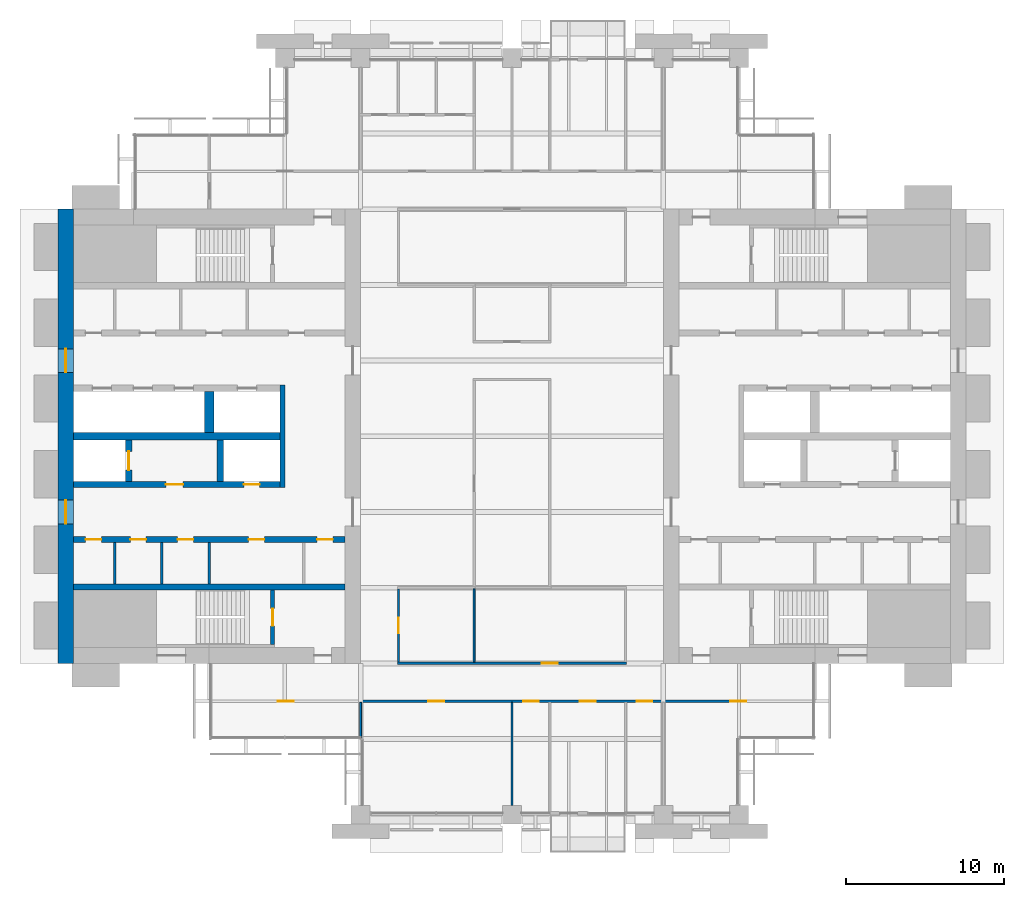
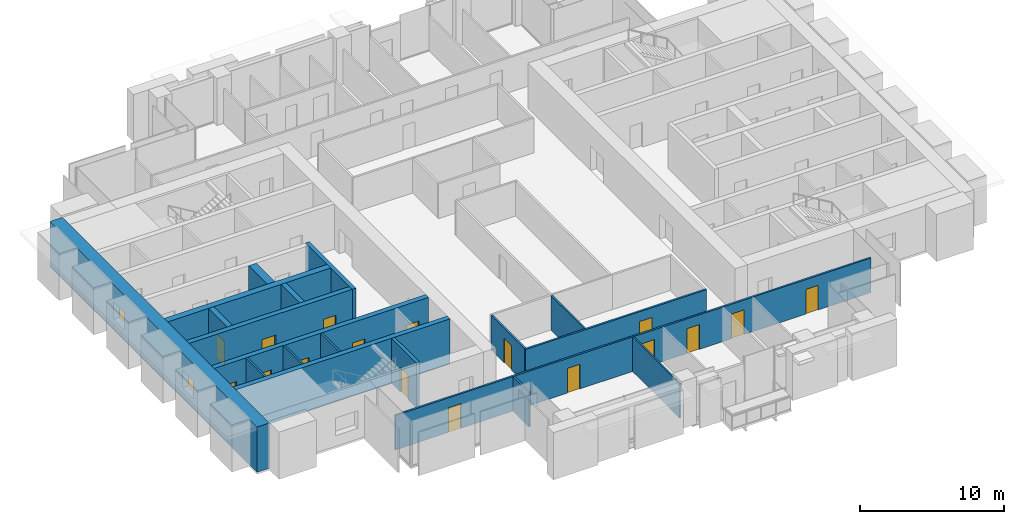
# One storey, part 9 of 15: 19 walls, 17 doors, 2 windows, 19 openings.
"""IFC4 building model written with IfcOpenShell, lengths in metres."""

from ifc_helpers import new_model, si_unit, direction, frame, frame_2d, origin, place, context, subcontext, project, spatial, rectangle, extrude, material, layer, layer_set, type_object, element, fill, save


model = new_model("IFC4")

# Units and contexts
model_context = context("Model", 3, precision=1e-05, world=origin(), true_north=direction((0.0, 1.0)))
body_context = subcontext(model_context, "Body", "Model", "MODEL_VIEW")
ifc_project = project(units=[si_unit("LENGTHUNIT", "METRE"), si_unit("AREAUNIT", "SQUARE_METRE"), si_unit("VOLUMEUNIT", "CUBIC_METRE"), si_unit("PLANEANGLEUNIT", "RADIAN"), si_unit("MASSUNIT", "GRAM", prefix="KILO")], contexts=[model_context])

# Site, building, storey
site_placement = place(None, origin())
site = spatial("IfcSite", under=ifc_project, at=site_placement, CompositionType="ELEMENT")
building_placement = place(site_placement, origin())
building = spatial("IfcBuilding", under=site, at=building_placement, Name="Baori Bourse Tower", CompositionType="ELEMENT")
storey_placement = place(building_placement, frame((0.0, 0.0, 164.10009765625)))
storey = spatial("IfcBuildingStorey", under=building, at=storey_placement, Name="L36", CompositionType="ELEMENT", Elevation=164.10009765625)

# Walls
ifc_material_1 = material(Name="Blockwork partition", Category="masonry")
ifc_layer_1 = layer(ifc_material_1, 0.14990234375)
ifc_layer_set_1 = layer_set([ifc_layer_1], Name="Core partition 150")
wall_type_1 = type_object("IfcWallType", Name="Core partition 150", PredefinedType="PARTITIONING", material=ifc_layer_set_1)
for number, where, z_axis, x_axis, name in (
    (1, (3.60009765625, 14.64990234375, 0.0), (0.0, 0.0, 1.0), (0.0, 1.0, 0.0), "Partition wall W10"),
    (2, (6.60009765625, 14.64990234375, 0.0), (0.0, 0.0, 1.0), (0.0, 1.0, 0.0), "Partition wall W11"),
    (3, (9.60009765625, 14.64990234375, 0.0), (0.0, 0.0, 1.0), (0.0, 1.0, 0.0), "Partition wall W12"),
):
    element("IfcWall", number, at=place(storey_placement, frame(where, z_axis=z_axis, x_axis=x_axis)), inside=storey, type_object=wall_type_1, Name=name, PredefinedType="PARTITIONING", context=body_context, shape_type="SweptSolid", body=[
        extrude(rectangle(XDim=2.60009765625, YDim=0.14990234375, at=frame_2d((1.300048828125, 0.0))), origin(), (0.0, 0.0, 1.0), 3.83984375),
    ])

# Wall, openings, windows
ifc_material_2 = material(Name="Concrete f'c 60 MPa", Category="concrete")
ifc_layer_2 = layer(ifc_material_2, 1.0)
ifc_layer_set_2 = layer_set([ifc_layer_2], Name="Core wall 1000 f'c 60")
wall_type_2 = type_object("IfcWallType", Name="Core wall 1000 f'c 60", PredefinedType="SHEAR", material=ifc_layer_set_2)
wall_1_placement = place(storey_placement, frame((0.5, 9.60009765625, 0.0), z_axis=(0.0, 0.0, 1.0), x_axis=(0.0, 1.0, 0.0)))
wall_1 = element("IfcWall", 4, at=wall_1_placement, inside=storey, type_object=wall_type_2, Name="Core wall W01", PredefinedType="SHEAR", context=body_context, shape_type="SweptSolid", body=[
    extrude(rectangle(XDim=28.7998046875, YDim=1.0, at=frame_2d((14.39990234375, 0.0))), origin(), (0.0, 0.0, 1.0), 3.83984375),
])
opening_1_placement = place(wall_1_placement, frame((8.85009765625, 0.0, 0.89990234375)))
opening_1 = element("IfcOpeningElement", 5, at=opening_1_placement, cuts=wall_1, Name="Opening L36-KW101", PredefinedType="OPENING", context=body_context, shape_type="SweptSolid", body=[
    extrude(rectangle(XDim=1.5, YDim=1.5, at=frame_2d((0.75, 0.75))), frame((0.0, 0.510009765625, 0.0), z_axis=(0.0, -1.0, 0.0), x_axis=(1.0, 0.0, 0.0)), (0.0, 0.0, 1.0), 1.02001953125),
])
opening_2_placement = place(wall_1_placement, frame((18.449951171875, 0.0, 0.89990234375)))
opening_2 = element("IfcOpeningElement", 6, at=opening_2_placement, cuts=wall_1, Name="Opening L36-KW102", PredefinedType="OPENING", context=body_context, shape_type="SweptSolid", body=[
    extrude(rectangle(XDim=1.5, YDim=1.5, at=frame_2d((0.75, 0.75))), frame((0.0, 0.510009765625, 0.0), z_axis=(0.0, -1.0, 0.0), x_axis=(1.0, 0.0, 0.0)), (0.0, 0.0, 1.0), 1.02001953125),
])
ifc_material_3 = material(Name="Pale anodised aluminium", Category="aluminium")
window_type = type_object("IfcWindowType", Name="Lobby window 1500 x 1500", PartitioningType="SINGLE_PANEL", PredefinedType="WINDOW", material=ifc_material_3)
window_1_placement = place(opening_1_placement, origin())
window_1 = element("IfcWindow", 7, at=window_1_placement, inside=storey, type_object=window_type, Name="Outer wall window W L36 1", OverallHeight=1.5, OverallWidth=1.5, PartitioningType="SINGLE_PANEL", PredefinedType="WINDOW", context=body_context, shape_type="SweptSolid", body=[
    extrude(rectangle(XDim=1.5, YDim=1.5, at=frame_2d((0.75, 0.75))), frame((0.0, 0.030029296875, 0.0), z_axis=(0.0, -1.0, 0.0), x_axis=(1.0, 0.0, 0.0)), (0.0, 0.0, 1.0), 0.06005859375),
])
fill(opening_1, window_1)
window_2_placement = place(opening_2_placement, origin())
window_2 = element("IfcWindow", 8, at=window_2_placement, inside=storey, type_object=window_type, Name="Outer wall window W L36 2", OverallHeight=1.5, OverallWidth=1.5, PartitioningType="SINGLE_PANEL", PredefinedType="WINDOW", context=body_context, shape_type="SweptSolid", body=[
    extrude(rectangle(XDim=1.5, YDim=1.5, at=frame_2d((0.75, 0.75))), frame((0.0, 0.030029296875, 0.0), z_axis=(0.0, -1.0, 0.0), x_axis=(1.0, 0.0, 0.0)), (0.0, 0.0, 1.0), 0.06005859375),
])
fill(opening_2, window_2)

# Wall, openings, doors
ifc_material_4 = material(Name="Gypsum board partition")
ifc_layer_3 = layer(ifc_material_4, 0.14990234375)
ifc_layer_set_3 = layer_set([ifc_layer_3], Name="Corridor partition 150")
wall_type_3 = type_object("IfcWallType", Name="Corridor partition 150", PredefinedType="PARTITIONING", material=ifc_layer_set_3)
wall_2_placement = place(storey_placement, frame((9.699951171875, 7.199951171875, 0.0), z_axis=(0.0, 0.0, 1.0), x_axis=(1.0, 0.0, 0.0)))
wall_2 = element("IfcWall", 9, at=wall_2_placement, inside=storey, type_object=wall_type_3, Name="Partition", PredefinedType="PARTITIONING", context=body_context, shape_type="SweptSolid", body=[
    extrude(rectangle(XDim=38.199951171875, YDim=0.14990234375, at=frame_2d((19.10009765625, 0.0))), origin(), (0.0, 0.0, 1.0), 2.935546875),
])
opening_3_placement = place(wall_2_placement, frame((4.25, 0.0, 0.0)))
opening_3 = element("IfcOpeningElement", 10, at=opening_3_placement, cuts=wall_2, Name="Opening L36-D01", PredefinedType="OPENING", context=body_context, shape_type="SweptSolid", body=[
    extrude(rectangle(XDim=1.0, YDim=2.10009765625, at=frame_2d((0.5, 1.050048828125))), frame((0.0, 0.0849609375, 0.0), z_axis=(0.0, -1.0, 0.0), x_axis=(1.0, 0.0, 0.0)), (0.0, 0.0, 1.0), 0.169921875),
])
opening_4_placement = place(wall_2_placement, frame((13.800048828125, 0.0, 0.0)))
opening_4 = element("IfcOpeningElement", 11, at=opening_4_placement, cuts=wall_2, Name="Opening L36-D02", PredefinedType="OPENING", context=body_context, shape_type="SweptSolid", body=[
    extrude(rectangle(XDim=1.0, YDim=2.10009765625, at=frame_2d((0.5, 1.050048828125))), frame((0.0, 0.0849609375, 0.0), z_axis=(0.0, -1.0, 0.0), x_axis=(1.0, 0.0, 0.0)), (0.0, 0.0, 1.0), 0.169921875),
])
opening_5_placement = place(wall_2_placement, frame((19.800048828125, 0.0, 0.0)))
opening_5 = element("IfcOpeningElement", 12, at=opening_5_placement, cuts=wall_2, Name="Opening L36-D03", PredefinedType="OPENING", context=body_context, shape_type="SweptSolid", body=[
    extrude(rectangle(XDim=1.0, YDim=2.10009765625, at=frame_2d((0.5, 1.050048828125))), frame((0.0, 0.0849609375, 0.0), z_axis=(0.0, -1.0, 0.0), x_axis=(1.0, 0.0, 0.0)), (0.0, 0.0, 1.0), 0.169921875),
])
opening_6_placement = place(wall_2_placement, frame((23.39990234375, 0.0, 0.0)))
opening_6 = element("IfcOpeningElement", 13, at=opening_6_placement, cuts=wall_2, Name="Opening L36-D04", PredefinedType="OPENING", context=body_context, shape_type="SweptSolid", body=[
    extrude(rectangle(XDim=1.0, YDim=2.10009765625, at=frame_2d((0.5, 1.050048828125))), frame((0.0, 0.0849609375, 0.0), z_axis=(0.0, -1.0, 0.0), x_axis=(1.0, 0.0, 0.0)), (0.0, 0.0, 1.0), 0.169921875),
])
opening_7_placement = place(wall_2_placement, frame((27.0, 0.0, 0.0)))
opening_7 = element("IfcOpeningElement", 14, at=opening_7_placement, cuts=wall_2, Name="Opening L36-D05", PredefinedType="OPENING", context=body_context, shape_type="SweptSolid", body=[
    extrude(rectangle(XDim=1.0, YDim=2.10009765625, at=frame_2d((0.5, 1.050048828125))), frame((0.0, 0.0849609375, 0.0), z_axis=(0.0, -1.0, 0.0), x_axis=(1.0, 0.0, 0.0)), (0.0, 0.0, 1.0), 0.169921875),
])
opening_8_placement = place(wall_2_placement, frame((32.949951171875, 0.0, 0.0)))
opening_8 = element("IfcOpeningElement", 15, at=opening_8_placement, cuts=wall_2, Name="Opening L36-D06", PredefinedType="OPENING", context=body_context, shape_type="SweptSolid", body=[
    extrude(rectangle(XDim=1.0, YDim=2.10009765625, at=frame_2d((0.5, 1.050048828125))), frame((0.0, 0.0849609375, 0.0), z_axis=(0.0, -1.0, 0.0), x_axis=(1.0, 0.0, 0.0)), (0.0, 0.0, 1.0), 0.169921875),
])
ifc_material_5 = material(Name="Timber door leaf", Category="wood")
door_type_1 = type_object("IfcDoorType", Name="Door 1000 x 2100", OperationType="SINGLE_SWING_LEFT", PredefinedType="DOOR", material=ifc_material_5)
door_1_placement = place(opening_3_placement, origin())
door_1 = element("IfcDoor", 16, at=door_1_placement, inside=storey, type_object=door_type_1, Name="Door", OperationType="SINGLE_SWING_LEFT", OverallHeight=2.10009765625, OverallWidth=1.0, PredefinedType="DOOR", context=body_context, shape_type="SweptSolid", body=[
    extrude(rectangle(XDim=1.0, YDim=2.10009765625, at=frame_2d((0.5, 1.050048828125))), frame((0.0, 0.02490234375, 0.0), z_axis=(0.0, -1.0, 0.0), x_axis=(1.0, 0.0, 0.0)), (0.0, 0.0, 1.0), 0.050048828125),
])
fill(opening_3, door_1)
door_2_placement = place(opening_4_placement, origin())
door_2 = element("IfcDoor", 17, at=door_2_placement, inside=storey, type_object=door_type_1, Name="Door", OperationType="SINGLE_SWING_LEFT", OverallHeight=2.10009765625, OverallWidth=1.0, PredefinedType="DOOR", context=body_context, shape_type="SweptSolid", body=[
    extrude(rectangle(XDim=1.0, YDim=2.10009765625, at=frame_2d((0.5, 1.050048828125))), frame((0.0, 0.02490234375, 0.0), z_axis=(0.0, -1.0, 0.0), x_axis=(1.0, 0.0, 0.0)), (0.0, 0.0, 1.0), 0.050048828125),
])
fill(opening_4, door_2)
door_3_placement = place(opening_5_placement, origin())
door_3 = element("IfcDoor", 18, at=door_3_placement, inside=storey, type_object=door_type_1, Name="Door", OperationType="SINGLE_SWING_RIGHT", OverallHeight=2.10009765625, OverallWidth=1.0, PredefinedType="DOOR", context=body_context, shape_type="SweptSolid", body=[
    extrude(rectangle(XDim=1.0, YDim=2.10009765625, at=frame_2d((0.5, 1.050048828125))), frame((0.0, 0.02490234375, 0.0), z_axis=(0.0, -1.0, 0.0), x_axis=(1.0, 0.0, 0.0)), (0.0, 0.0, 1.0), 0.050048828125),
])
fill(opening_5, door_3)
door_4_placement = place(opening_6_placement, origin())
door_4 = element("IfcDoor", 19, at=door_4_placement, inside=storey, type_object=door_type_1, Name="Door", OperationType="SINGLE_SWING_RIGHT", OverallHeight=2.10009765625, OverallWidth=1.0, PredefinedType="DOOR", context=body_context, shape_type="SweptSolid", body=[
    extrude(rectangle(XDim=1.0, YDim=2.10009765625, at=frame_2d((0.5, 1.050048828125))), frame((0.0, 0.02490234375, 0.0), z_axis=(0.0, -1.0, 0.0), x_axis=(1.0, 0.0, 0.0)), (0.0, 0.0, 1.0), 0.050048828125),
])
fill(opening_6, door_4)
door_5_placement = place(opening_7_placement, origin())
door_5 = element("IfcDoor", 20, at=door_5_placement, inside=storey, type_object=door_type_1, Name="Door", OperationType="SINGLE_SWING_RIGHT", OverallHeight=2.10009765625, OverallWidth=1.0, PredefinedType="DOOR", context=body_context, shape_type="SweptSolid", body=[
    extrude(rectangle(XDim=1.0, YDim=2.10009765625, at=frame_2d((0.5, 1.050048828125))), frame((0.0, 0.02490234375, 0.0), z_axis=(0.0, -1.0, 0.0), x_axis=(1.0, 0.0, 0.0)), (0.0, 0.0, 1.0), 0.050048828125),
])
fill(opening_7, door_5)
door_6_placement = place(opening_8_placement, origin())
door_6 = element("IfcDoor", 21, at=door_6_placement, inside=storey, type_object=door_type_1, Name="Door", OperationType="SINGLE_SWING_RIGHT", OverallHeight=2.10009765625, OverallWidth=1.0, PredefinedType="DOOR", context=body_context, shape_type="SweptSolid", body=[
    extrude(rectangle(XDim=1.0, YDim=2.10009765625, at=frame_2d((0.5, 1.050048828125))), frame((0.0, 0.02490234375, 0.0), z_axis=(0.0, -1.0, 0.0), x_axis=(1.0, 0.0, 0.0)), (0.0, 0.0, 1.0), 0.050048828125),
])
fill(opening_8, door_6)

# Wall, opening, door
wall_3_placement = place(storey_placement, frame((21.52490234375, 9.60009765625, 0.0), z_axis=(0.0, 0.0, 1.0), x_axis=(1.0, 0.0, 0.0)))
wall_3 = element("IfcWall", 22, at=wall_3_placement, inside=storey, type_object=wall_type_3, Name="Partition", PredefinedType="PARTITIONING", context=body_context, shape_type="SweptSolid", body=[
    extrude(rectangle(XDim=14.550048828125, YDim=0.14990234375, at=frame_2d((7.27490234375, 0.0))), origin(), (0.0, 0.0, 1.0), 2.935546875),
])
opening_9_placement = place(wall_3_placement, frame((9.175048828125, 0.0, 0.0)))
opening_9 = element("IfcOpeningElement", 23, at=opening_9_placement, cuts=wall_3, Name="Opening L36-D07", PredefinedType="OPENING", context=body_context, shape_type="SweptSolid", body=[
    extrude(rectangle(XDim=1.0, YDim=2.10009765625, at=frame_2d((0.5, 1.050048828125))), frame((0.0, 0.0849609375, 0.0), z_axis=(0.0, -1.0, 0.0), x_axis=(1.0, 0.0, 0.0)), (0.0, 0.0, 1.0), 0.169921875),
])
door_7_placement = place(opening_9_placement, origin())
door_7 = element("IfcDoor", 24, at=door_7_placement, inside=storey, type_object=door_type_1, Name="Door", OperationType="SINGLE_SWING_LEFT", OverallHeight=2.10009765625, OverallWidth=1.0, PredefinedType="DOOR", context=body_context, shape_type="SweptSolid", body=[
    extrude(rectangle(XDim=1.0, YDim=2.10009765625, at=frame_2d((0.5, 1.050048828125))), frame((0.0, 0.02490234375, 0.0), z_axis=(0.0, -1.0, 0.0), x_axis=(1.0, 0.0, 0.0)), (0.0, 0.0, 1.0), 0.050048828125),
])
fill(opening_9, door_7)

wall_4_placement = place(storey_placement, frame((21.60009765625, 9.675048828125, 0.0), z_axis=(0.0, 0.0, 1.0), x_axis=(0.0, 1.0, 0.0)))
wall_4 = element("IfcWall", 25, at=wall_4_placement, inside=storey, type_object=wall_type_3, Name="Partition", PredefinedType="PARTITIONING", context=body_context, shape_type="SweptSolid", body=[
    extrude(rectangle(XDim=4.64990234375, YDim=0.14990234375, at=frame_2d((2.324951171875, 0.0))), origin(), (0.0, 0.0, 1.0), 2.935546875),
])
opening_10_placement = place(wall_4_placement, frame((1.824951171875, 0.0, 0.0)))
opening_10 = element("IfcOpeningElement", 26, at=opening_10_placement, cuts=wall_4, Name="Opening L36-D21", PredefinedType="OPENING", context=body_context, shape_type="SweptSolid", body=[
    extrude(rectangle(XDim=1.0, YDim=2.10009765625, at=frame_2d((0.5, 1.050048828125))), frame((0.0, 0.0849609375, 0.0), z_axis=(0.0, -1.0, 0.0), x_axis=(1.0, 0.0, 0.0)), (0.0, 0.0, 1.0), 0.169921875),
])
door_8_placement = place(opening_10_placement, origin())
door_8 = element("IfcDoor", 27, at=door_8_placement, inside=storey, type_object=door_type_1, Name="Door", OperationType="SINGLE_SWING_LEFT", OverallHeight=2.10009765625, OverallWidth=1.0, PredefinedType="DOOR", context=body_context, shape_type="SweptSolid", body=[
    extrude(rectangle(XDim=1.0, YDim=2.10009765625, at=frame_2d((0.5, 1.050048828125))), frame((0.0, 0.02490234375, 0.0), z_axis=(0.0, -1.0, 0.0), x_axis=(1.0, 0.0, 0.0)), (0.0, 0.0, 1.0), 0.050048828125),
])
fill(opening_10, door_8)

# Walls
ifc_material_6 = material(Name="Gypsum board partition")
ifc_layer_4 = layer(ifc_material_6, 0.125)
ifc_layer_set_4 = layer_set([ifc_layer_4], Name="Partition 125")
wall_type_4 = type_object("IfcWallType", Name="Partition 125", PredefinedType="PARTITIONING", material=ifc_layer_set_4)
wall_5_placement = place(storey_placement, frame((19.199951171875, 4.89990234375, 0.0), z_axis=(0.0, 0.0, 1.0), x_axis=(0.0, 1.0, 0.0)))
element("IfcWall", 28, at=wall_5_placement, inside=storey, type_object=wall_type_4, Name="Partition", PredefinedType="PARTITIONING", context=body_context, shape_type="SweptSolid", body=[
    extrude(rectangle(XDim=2.22509765625, YDim=0.125, at=frame_2d((1.112548828125, 0.0))), origin(), (0.0, 0.0, 1.0), 2.935546875),
])
wall_6_placement = place(storey_placement, frame((26.39990234375, 9.675048828125, 0.0), z_axis=(0.0, 0.0, 1.0), x_axis=(0.0, 1.0, 0.0)))
element("IfcWall", 29, at=wall_6_placement, inside=storey, type_object=wall_type_4, Name="Partition", PredefinedType="PARTITIONING", context=body_context, shape_type="SweptSolid", body=[
    extrude(rectangle(XDim=4.64990234375, YDim=0.125, at=frame_2d((2.324951171875, 0.0))), origin(), (0.0, 0.0, 1.0), 2.935546875),
])
wall_7_placement = place(storey_placement, frame((28.800048828125, 0.60009765625, 0.0), z_axis=(0.0, 0.0, 1.0), x_axis=(0.0, 1.0, 0.0)))
element("IfcWall", 30, at=wall_7_placement, inside=storey, type_object=wall_type_4, Name="Partition", PredefinedType="PARTITIONING", context=body_context, shape_type="SweptSolid", body=[
    extrude(rectangle(XDim=6.52490234375, YDim=0.125, at=frame_2d((3.262451171875, 0.0))), origin(), (0.0, 0.0, 1.0), 2.935546875),
])

# Wall, opening, door
ifc_material_7 = material(Name="Concrete f'c 60 MPa", Category="concrete")
ifc_layer_5 = layer(ifc_material_7, 0.25)
ifc_layer_set_5 = layer_set([ifc_layer_5], Name="Shaft wall 250 f'c 60")
wall_type_5 = type_object("IfcWallType", Name="Shaft wall 250 f'c 60", PredefinedType="SHEAR", material=ifc_layer_set_5)
wall_8_placement = place(storey_placement, frame((13.625, 10.800048828125, 0.0), z_axis=(0.0, 0.0, 1.0), x_axis=(0.0, 1.0, 0.0)))
wall_8 = element("IfcWall", 31, at=wall_8_placement, inside=storey, type_object=wall_type_5, Name="Core wall W08", PredefinedType="SHEAR", context=body_context, shape_type="SweptSolid", body=[
    extrude(rectangle(XDim=3.449951171875, YDim=0.25, at=frame_2d((1.72509765625, 0.0))), origin(), (0.0, 0.0, 1.0), 3.83984375),
])
opening_11_placement = place(wall_8_placement, frame((1.175048828125, 0.0, 0.0)))
opening_11 = element("IfcOpeningElement", 32, at=opening_11_placement, cuts=wall_8, Name="Opening L36-D101", PredefinedType="OPENING", context=body_context, shape_type="SweptSolid", body=[
    extrude(rectangle(XDim=1.10009765625, YDim=2.10009765625, at=frame_2d((0.550048828125, 1.050048828125))), frame((0.0, 0.135009765625, 0.0), z_axis=(0.0, -1.0, 0.0), x_axis=(1.0, 0.0, 0.0)), (0.0, 0.0, 1.0), 0.27001953125),
])
ifc_material_8 = material(Name="Painted steel door", Category="steel")
door_type_2 = type_object("IfcDoorType", Name="Stair door 1100", OperationType="SINGLE_SWING_LEFT", PredefinedType="DOOR", material=ifc_material_8)
door_9_placement = place(opening_11_placement, origin())
door_9 = element("IfcDoor", 33, at=door_9_placement, inside=storey, type_object=door_type_2, Name="Stair door A W L36", OperationType="SINGLE_SWING_LEFT", OverallHeight=2.10009765625, OverallWidth=1.10009765625, PredefinedType="DOOR", context=body_context, shape_type="SweptSolid", body=[
    extrude(rectangle(XDim=1.10009765625, YDim=2.10009765625, at=frame_2d((0.550048828125, 1.050048828125))), frame((0.0, 0.02490234375, 0.0), z_axis=(0.0, -1.0, 0.0), x_axis=(1.0, 0.0, 0.0)), (0.0, 0.0, 1.0), 0.050048828125),
])
fill(opening_11, door_9)

# Walls
ifc_material_9 = material(Name="Concrete f'c 60 MPa", Category="concrete")
ifc_layer_6 = layer(ifc_material_9, 0.300048828125)
ifc_layer_set_6 = layer_set([ifc_layer_6], Name="Shaft wall 300 f'c 60")
wall_type_6 = type_object("IfcWallType", Name="Shaft wall 300 f'c 60", PredefinedType="SHEAR", material=ifc_layer_set_6)
wall_9_placement = place(storey_placement, frame((14.25, 20.75, 0.0), z_axis=(0.0, 0.0, 1.0), x_axis=(0.0, 1.0, 0.0)))
element("IfcWall", 34, at=wall_9_placement, inside=storey, type_object=wall_type_6, Name="Core wall W16", PredefinedType="SHEAR", context=body_context, shape_type="SweptSolid", body=[
    extrude(rectangle(XDim=6.5, YDim=0.300048828125, at=frame_2d((3.25, 0.0))), origin(), (0.0, 0.0, 1.0), 3.83984375),
])
ifc_material_10 = material(Name="Concrete f'c 60 MPa", Category="concrete")
ifc_layer_7 = layer(ifc_material_10, 0.39990234375)
ifc_layer_set_7 = layer_set([ifc_layer_7], Name="Shaft wall 400 f'c 60")
wall_type_7 = type_object("IfcWallType", Name="Shaft wall 400 f'c 60", PredefinedType="SHEAR", material=ifc_layer_set_7)
wall_10_placement = place(storey_placement, frame((1.0, 14.449951171875, 0.0), z_axis=(0.0, 0.0, 1.0), x_axis=(1.0, 0.0, 0.0)))
element("IfcWall", 35, at=wall_10_placement, inside=storey, type_object=wall_type_7, Name="Core wall W09", PredefinedType="SHEAR", context=body_context, shape_type="SweptSolid", body=[
    extrude(rectangle(XDim=17.199951171875, YDim=0.39990234375, at=frame_2d((8.60009765625, 0.0))), origin(), (0.0, 0.0, 1.0), 3.83984375),
])

# Wall, openings, doors
wall_11_placement = place(storey_placement, frame((1.0, 17.449951171875, 0.0), z_axis=(0.0, 0.0, 1.0), x_axis=(1.0, 0.0, 0.0)))
wall_11 = element("IfcWall", 36, at=wall_11_placement, inside=storey, type_object=wall_type_7, Name="Core wall W14", PredefinedType="SHEAR", context=body_context, shape_type="SweptSolid", body=[
    extrude(rectangle(XDim=17.199951171875, YDim=0.39990234375, at=frame_2d((8.60009765625, 0.0))), origin(), (0.0, 0.0, 1.0), 3.83984375),
])
opening_12_placement = place(wall_11_placement, frame((0.762451171875, 0.0, 0.0)))
opening_12 = element("IfcOpeningElement", 37, at=opening_12_placement, cuts=wall_11, Name="Opening L36-D113", PredefinedType="OPENING", context=body_context, shape_type="SweptSolid", body=[
    extrude(rectangle(XDim=1.0, YDim=2.10009765625, at=frame_2d((0.5, 1.050048828125))), frame((0.0, 0.2099609375, 0.0), z_axis=(0.0, -1.0, 0.0), x_axis=(1.0, 0.0, 0.0)), (0.0, 0.0, 1.0), 0.419921875),
])
opening_13_placement = place(wall_11_placement, frame((3.60009765625, 0.0, 0.0)))
opening_13 = element("IfcOpeningElement", 38, at=opening_13_placement, cuts=wall_11, Name="Opening L36-D114", PredefinedType="OPENING", context=body_context, shape_type="SweptSolid", body=[
    extrude(rectangle(XDim=1.0, YDim=2.10009765625, at=frame_2d((0.5, 1.050048828125))), frame((0.0, 0.2099609375, 0.0), z_axis=(0.0, -1.0, 0.0), x_axis=(1.0, 0.0, 0.0)), (0.0, 0.0, 1.0), 0.419921875),
])
opening_14_placement = place(wall_11_placement, frame((6.60009765625, 0.0, 0.0)))
opening_14 = element("IfcOpeningElement", 39, at=opening_14_placement, cuts=wall_11, Name="Opening L36-D115", PredefinedType="OPENING", context=body_context, shape_type="SweptSolid", body=[
    extrude(rectangle(XDim=1.0, YDim=2.10009765625, at=frame_2d((0.5, 1.050048828125))), frame((0.0, 0.2099609375, 0.0), z_axis=(0.0, -1.0, 0.0), x_axis=(1.0, 0.0, 0.0)), (0.0, 0.0, 1.0), 0.419921875),
])
opening_15_placement = place(wall_11_placement, frame((11.10009765625, 0.0, 0.0)))
opening_15 = element("IfcOpeningElement", 40, at=opening_15_placement, cuts=wall_11, Name="Opening L36-D116", PredefinedType="OPENING", context=body_context, shape_type="SweptSolid", body=[
    extrude(rectangle(XDim=1.0, YDim=2.10009765625, at=frame_2d((0.5, 1.050048828125))), frame((0.0, 0.2099609375, 0.0), z_axis=(0.0, -1.0, 0.0), x_axis=(1.0, 0.0, 0.0)), (0.0, 0.0, 1.0), 0.419921875),
])
opening_16_placement = place(wall_11_placement, frame((15.4375, 0.0, 0.0)))
opening_16 = element("IfcOpeningElement", 41, at=opening_16_placement, cuts=wall_11, Name="Opening L36-D117", PredefinedType="OPENING", context=body_context, shape_type="SweptSolid", body=[
    extrude(rectangle(XDim=1.0, YDim=2.10009765625, at=frame_2d((0.5, 1.050048828125))), frame((0.0, 0.2099609375, 0.0), z_axis=(0.0, -1.0, 0.0), x_axis=(1.0, 0.0, 0.0)), (0.0, 0.0, 1.0), 0.419921875),
])
ifc_material_11 = material(Name="Painted steel door", Category="steel")
door_type_3 = type_object("IfcDoorType", Name="Core door 1000", OperationType="SINGLE_SWING_LEFT", PredefinedType="DOOR", material=ifc_material_11)
door_10_placement = place(opening_13_placement, origin())
door_10 = element("IfcDoor", 42, at=door_10_placement, inside=storey, type_object=door_type_3, Name="Women'S Wc door W L36", OperationType="SINGLE_SWING_LEFT", OverallHeight=2.10009765625, OverallWidth=1.0, PredefinedType="DOOR", context=body_context, shape_type="SweptSolid", body=[
    extrude(rectangle(XDim=1.0, YDim=2.10009765625, at=frame_2d((0.5, 1.050048828125))), frame((0.0, 0.02490234375, 0.0), z_axis=(0.0, -1.0, 0.0), x_axis=(1.0, 0.0, 0.0)), (0.0, 0.0, 1.0), 0.050048828125),
])
fill(opening_13, door_10)
door_11_placement = place(opening_14_placement, origin())
door_11 = element("IfcDoor", 43, at=door_11_placement, inside=storey, type_object=door_type_3, Name="Accessible Wc door W L36", OperationType="SINGLE_SWING_LEFT", OverallHeight=2.10009765625, OverallWidth=1.0, PredefinedType="DOOR", context=body_context, shape_type="SweptSolid", body=[
    extrude(rectangle(XDim=1.0, YDim=2.10009765625, at=frame_2d((0.5, 1.050048828125))), frame((0.0, 0.02490234375, 0.0), z_axis=(0.0, -1.0, 0.0), x_axis=(1.0, 0.0, 0.0)), (0.0, 0.0, 1.0), 0.050048828125),
])
fill(opening_14, door_11)
door_12_placement = place(opening_15_placement, origin())
door_12 = element("IfcDoor", 44, at=door_12_placement, inside=storey, type_object=door_type_3, Name="Men'S Wc door W L36", OperationType="SINGLE_SWING_LEFT", OverallHeight=2.10009765625, OverallWidth=1.0, PredefinedType="DOOR", context=body_context, shape_type="SweptSolid", body=[
    extrude(rectangle(XDim=1.0, YDim=2.10009765625, at=frame_2d((0.5, 1.050048828125))), frame((0.0, 0.02490234375, 0.0), z_axis=(0.0, -1.0, 0.0), x_axis=(1.0, 0.0, 0.0)), (0.0, 0.0, 1.0), 0.050048828125),
])
fill(opening_15, door_12)
door_13_placement = place(opening_16_placement, origin())
door_13 = element("IfcDoor", 45, at=door_13_placement, inside=storey, type_object=door_type_3, Name="Store Room door W L36", OperationType="SINGLE_SWING_LEFT", OverallHeight=2.10009765625, OverallWidth=1.0, PredefinedType="DOOR", context=body_context, shape_type="SweptSolid", body=[
    extrude(rectangle(XDim=1.0, YDim=2.10009765625, at=frame_2d((0.5, 1.050048828125))), frame((0.0, 0.02490234375, 0.0), z_axis=(0.0, -1.0, 0.0), x_axis=(1.0, 0.0, 0.0)), (0.0, 0.0, 1.0), 0.050048828125),
])
fill(opening_16, door_13)
ifc_material_12 = material(Name="Painted steel door", Category="steel")
door_type_4 = type_object("IfcDoorType", Name="Plant room door 1000", OperationType="SINGLE_SWING_LEFT", PredefinedType="DOOR", material=ifc_material_12)
door_14_placement = place(opening_12_placement, origin())
door_14 = element("IfcDoor", 46, at=door_14_placement, inside=storey, type_object=door_type_4, Name="Communications Room door W L36", OperationType="SINGLE_SWING_LEFT", OverallHeight=2.10009765625, OverallWidth=1.0, PredefinedType="DOOR", context=body_context, shape_type="SweptSolid", body=[
    extrude(rectangle(XDim=1.0, YDim=2.10009765625, at=frame_2d((0.5, 1.050048828125))), frame((0.0, 0.02490234375, 0.0), z_axis=(0.0, -1.0, 0.0), x_axis=(1.0, 0.0, 0.0)), (0.0, 0.0, 1.0), 0.050048828125),
])
fill(opening_12, door_14)

wall_12_placement = place(storey_placement, frame((1.0, 20.949951171875, 0.0), z_axis=(0.0, 0.0, 1.0), x_axis=(1.0, 0.0, 0.0)))
wall_12 = element("IfcWall", 47, at=wall_12_placement, inside=storey, type_object=wall_type_7, Name="Core wall W15", PredefinedType="SHEAR", context=body_context, shape_type="SweptSolid", body=[
    extrude(rectangle(XDim=13.10009765625, YDim=0.39990234375, at=frame_2d((6.550048828125, 0.0))), origin(), (0.0, 0.0, 1.0), 3.83984375),
])
opening_17_placement = place(wall_12_placement, frame((5.85009765625, 0.0, 0.0)))
opening_17 = element("IfcOpeningElement", 48, at=opening_17_placement, cuts=wall_12, Name="Opening L36-D105", PredefinedType="OPENING", context=body_context, shape_type="SweptSolid", body=[
    extrude(rectangle(XDim=1.10009765625, YDim=2.10009765625, at=frame_2d((0.550048828125, 1.050048828125))), frame((0.0, 0.2099609375, 0.0), z_axis=(0.0, -1.0, 0.0), x_axis=(1.0, 0.0, 0.0)), (0.0, 0.0, 1.0), 0.419921875),
])
opening_18_placement = place(wall_12_placement, frame((10.800048828125, 0.0, 0.0)))
opening_18 = element("IfcOpeningElement", 49, at=opening_18_placement, cuts=wall_12, Name="Opening L36-D106", PredefinedType="OPENING", context=body_context, shape_type="SweptSolid", body=[
    extrude(rectangle(XDim=1.0, YDim=2.10009765625, at=frame_2d((0.5, 1.050048828125))), frame((0.0, 0.2099609375, 0.0), z_axis=(0.0, -1.0, 0.0), x_axis=(1.0, 0.0, 0.0)), (0.0, 0.0, 1.0), 0.419921875),
])
ifc_material_13 = material(Name="Painted steel door", Category="steel")
door_type_5 = type_object("IfcDoorType", Name="Lobby door 1100", OperationType="SINGLE_SWING_LEFT", PredefinedType="DOOR", material=ifc_material_13)
door_15_placement = place(opening_17_placement, origin())
door_15 = element("IfcDoor", 50, at=door_15_placement, inside=storey, type_object=door_type_5, Name="Firefighting lobby door W L36", OperationType="SINGLE_SWING_LEFT", OverallHeight=2.10009765625, OverallWidth=1.10009765625, PredefinedType="DOOR", context=body_context, shape_type="SweptSolid", body=[
    extrude(rectangle(XDim=1.10009765625, YDim=2.10009765625, at=frame_2d((0.550048828125, 1.050048828125))), frame((0.0, 0.02490234375, 0.0), z_axis=(0.0, -1.0, 0.0), x_axis=(1.0, 0.0, 0.0)), (0.0, 0.0, 1.0), 0.050048828125),
])
fill(opening_17, door_15)
ifc_material_14 = material(Name="Painted steel door", Category="steel")
door_type_6 = type_object("IfcDoorType", Name="Shaft door 1000", OperationType="SINGLE_SWING_LEFT", PredefinedType="DOOR", material=ifc_material_14)
door_16_placement = place(opening_18_placement, origin())
door_16 = element("IfcDoor", 51, at=door_16_placement, inside=storey, type_object=door_type_6, Name="Riser room door W L36", OperationType="SINGLE_SWING_LEFT", OverallHeight=2.10009765625, OverallWidth=1.0, PredefinedType="DOOR", context=body_context, shape_type="SweptSolid", body=[
    extrude(rectangle(XDim=1.0, YDim=2.10009765625, at=frame_2d((0.5, 1.050048828125))), frame((0.0, 0.02490234375, 0.0), z_axis=(0.0, -1.0, 0.0), x_axis=(1.0, 0.0, 0.0)), (0.0, 0.0, 1.0), 0.050048828125),
])
fill(opening_18, door_16)

# Wall, opening, door
wall_13_placement = place(storey_placement, frame((4.5, 21.14990234375, 0.0), z_axis=(0.0, 0.0, 1.0), x_axis=(0.0, 1.0, 0.0)))
wall_13 = element("IfcWall", 52, at=wall_13_placement, inside=storey, type_object=wall_type_7, Name="Core wall W17", PredefinedType="SHEAR", context=body_context, shape_type="SweptSolid", body=[
    extrude(rectangle(XDim=2.60009765625, YDim=0.39990234375, at=frame_2d((1.300048828125, 0.0))), origin(), (0.0, 0.0, 1.0), 3.83984375),
])
opening_19_placement = place(wall_13_placement, frame((0.699951171875, 0.0, 0.0)))
opening_19 = element("IfcOpeningElement", 53, at=opening_19_placement, cuts=wall_13, Name="Opening L36-D122", PredefinedType="OPENING", context=body_context, shape_type="SweptSolid", body=[
    extrude(rectangle(XDim=1.199951171875, YDim=2.10009765625, at=frame_2d((0.60009765625, 1.050048828125))), frame((0.0, 0.2099609375, 0.0), z_axis=(0.0, -1.0, 0.0), x_axis=(1.0, 0.0, 0.0)), (0.0, 0.0, 1.0), 0.419921875),
])
ifc_material_15 = material(Name="Stainless steel door", Category="steel")
door_type_7 = type_object("IfcDoorType", Name="Lift landing door", OperationType="DOUBLE_DOOR_SLIDING", PredefinedType="DOOR", material=ifc_material_15)
door_17_placement = place(opening_19_placement, origin())
door_17 = element("IfcDoor", 54, at=door_17_placement, inside=storey, type_object=door_type_7, Name="Lift landing door FF1 W L36", OperationType="DOUBLE_DOOR_SLIDING", OverallHeight=2.10009765625, OverallWidth=1.199951171875, PredefinedType="DOOR", context=body_context, shape_type="SweptSolid", body=[
    extrude(rectangle(XDim=1.199951171875, YDim=2.10009765625, at=frame_2d((0.60009765625, 1.050048828125))), frame((0.0, 0.02490234375, 0.0), z_axis=(0.0, -1.0, 0.0), x_axis=(1.0, 0.0, 0.0)), (0.0, 0.0, 1.0), 0.050048828125),
])
fill(opening_19, door_17)

# Walls
wall_14_placement = place(storey_placement, frame((10.300048828125, 21.14990234375, 0.0), z_axis=(0.0, 0.0, 1.0), x_axis=(0.0, 1.0, 0.0)))
element("IfcWall", 55, at=wall_14_placement, inside=storey, type_object=wall_type_7, Name="Core wall W18", PredefinedType="SHEAR", context=body_context, shape_type="SweptSolid", body=[
    extrude(rectangle(XDim=2.60009765625, YDim=0.39990234375, at=frame_2d((1.300048828125, 0.0))), origin(), (0.0, 0.0, 1.0), 3.83984375),
])
ifc_material_16 = material(Name="Concrete f'c 60 MPa", Category="concrete")
ifc_layer_8 = layer(ifc_material_16, 0.5)
ifc_layer_set_8 = layer_set([ifc_layer_8], Name="Shaft wall 500 f'c 60")
wall_type_8 = type_object("IfcWallType", Name="Shaft wall 500 f'c 60", PredefinedType="SHEAR", material=ifc_layer_set_8)
wall_15_placement = place(storey_placement, frame((1.0, 24.0, 0.0), z_axis=(0.0, 0.0, 1.0), x_axis=(1.0, 0.0, 0.0)))
element("IfcWall", 56, at=wall_15_placement, inside=storey, type_object=wall_type_8, Name="Core wall W19", PredefinedType="SHEAR", context=body_context, shape_type="SweptSolid", body=[
    extrude(rectangle(XDim=13.10009765625, YDim=0.5, at=frame_2d((6.550048828125, 0.0))), origin(), (0.0, 0.0, 1.0), 3.83984375),
])
ifc_material_17 = material(Name="Concrete f'c 60 MPa", Category="concrete")
ifc_layer_9 = layer(ifc_material_17, 0.60009765625)
ifc_layer_set_9 = layer_set([ifc_layer_9], Name="Shaft wall 600 f'c 60")
wall_type_9 = type_object("IfcWallType", Name="Shaft wall 600 f'c 60", PredefinedType="SHEAR", material=ifc_layer_set_9)
wall_16_placement = place(storey_placement, frame((9.60009765625, 24.25, 0.0), z_axis=(0.0, 0.0, 1.0), x_axis=(0.0, 1.0, 0.0)))
element("IfcWall", 57, at=wall_16_placement, inside=storey, type_object=wall_type_9, Name="Core wall W20", PredefinedType="SHEAR", context=body_context, shape_type="SweptSolid", body=[
    extrude(rectangle(XDim=2.60009765625, YDim=0.60009765625, at=frame_2d((1.300048828125, 0.0))), origin(), (0.0, 0.0, 1.0), 3.83984375),
])

save(model, "model.ifc")
